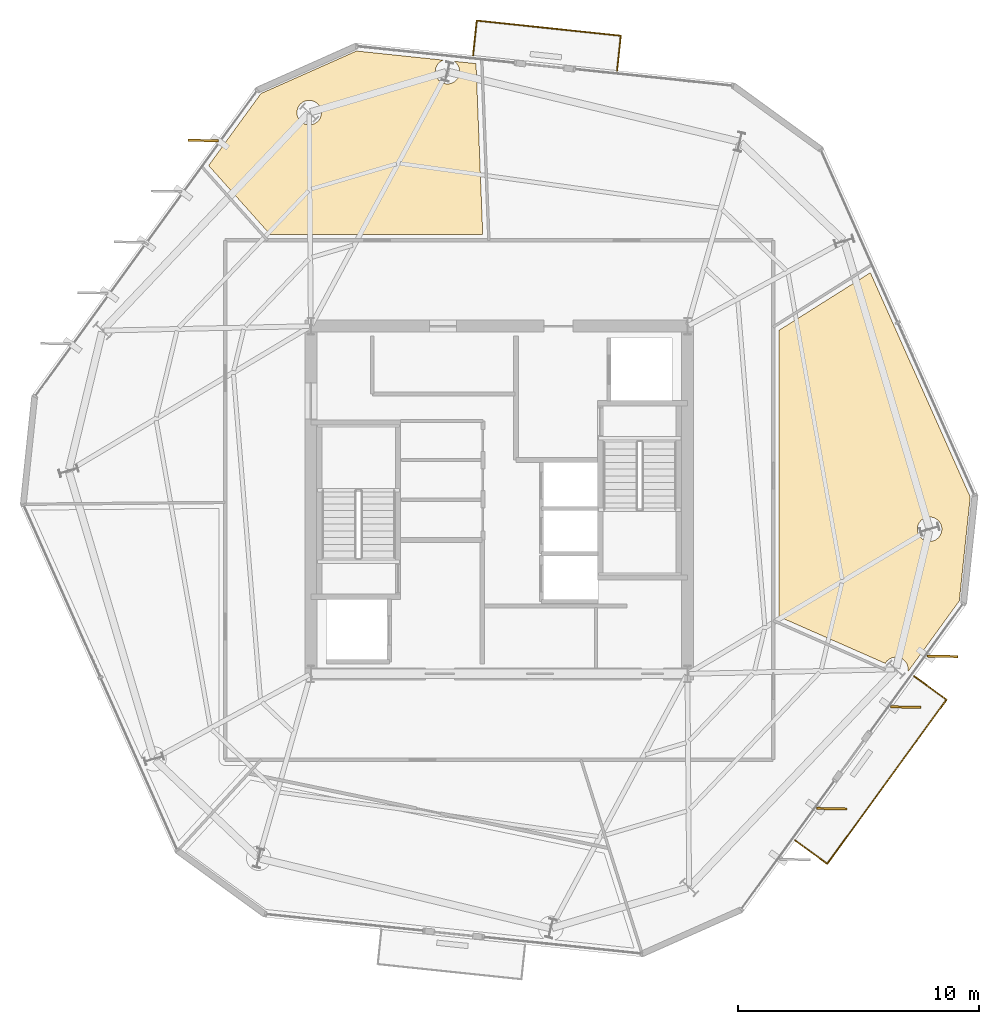
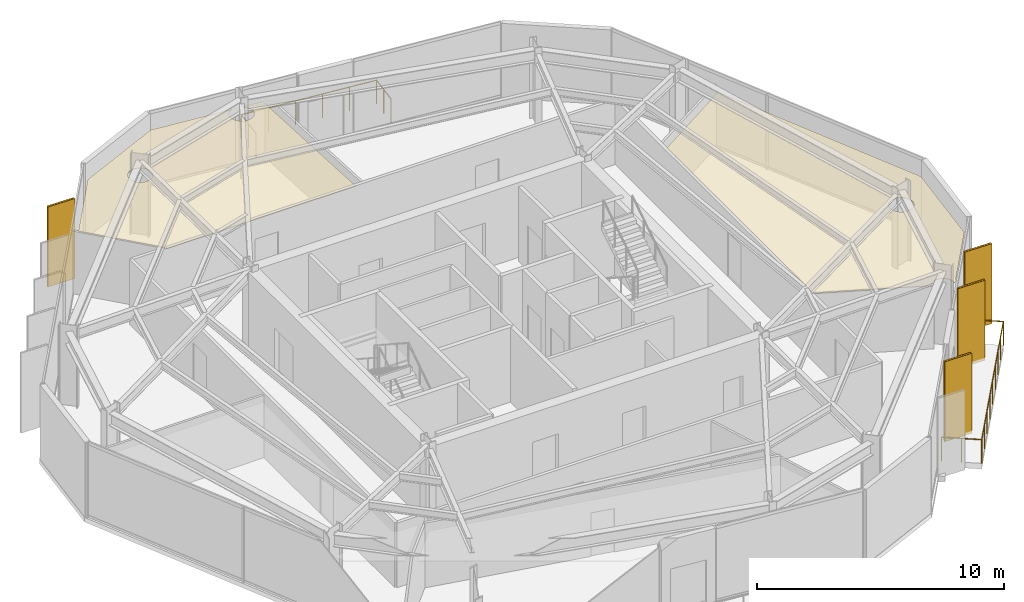
# One storey, part 12 of 12: 6 coverings, 4 shading devices, 2 railings.
"""IFC4 building model written with IfcOpenShell, lengths in metres."""

from ifc_helpers import new_model, si_unit, direction, frame, origin, origin_2d, place, context, subcontext, project, spatial, polyline, rectangle, circle, outline, extrude, material, layer, layer_set, type_object, element, save


model = new_model("IFC4")

# Units and contexts
model_context = context("Model", 3, precision=1e-05, world=origin(), true_north=direction((0.0, 1.0)))
body_context = subcontext(model_context, "Body", "Model", "MODEL_VIEW")
ifc_project = project(units=[si_unit("LENGTHUNIT", "METRE"), si_unit("AREAUNIT", "SQUARE_METRE"), si_unit("VOLUMEUNIT", "CUBIC_METRE"), si_unit("PLANEANGLEUNIT", "RADIAN"), si_unit("MASSUNIT", "GRAM", prefix="KILO")], contexts=[model_context])

# Site, building, storey
site_placement = place(None, origin())
site = spatial("IfcSite", under=ifc_project, at=site_placement, CompositionType="ELEMENT")
building_placement = place(site_placement, origin())
building = spatial("IfcBuilding", under=site, at=building_placement, Name="Kranzbogen Civic Tower", CompositionType="ELEMENT")
storey_placement = place(building_placement, frame((0.0, 0.0, 240.800048828125)))
storey = spatial("IfcBuildingStorey", under=building, at=storey_placement, Name="L58", CompositionType="ELEMENT", Elevation=240.800048828125)

# Coverings
ifc_material_1 = material(Name="Pale Anodised Aluminium", Category="aluminium")
ifc_layer_1 = layer(ifc_material_1, 0.02490234375, Name="Pale Anodised Aluminium")
ifc_layer_set_1 = layer_set([ifc_layer_1], Name="Pale Anodised Aluminium")
covering_type_1 = type_object("IfcCoveringType", Name="Anodised Aluminium Vertical Fin Cladding 25 mm", PredefinedType="CLADDING", material=ifc_layer_set_1)
for number, where, z_axis, x_axis, name in (
    (1, (12.748046875, 39.887939453125, -0.14013671875), (0.0, 0.0, 1.0), (-0.999798228055, 0.020087388558, 0.0), "L58 vertical fin pale-metal cladding F2-1"),
    (2, (38.780029296875, 12.215087890625, -0.14013671875), (0.0, 0.0, 1.0), (0.999798228055, -0.020087388558, 0.0), "L58 vertical fin pale-metal cladding F5-2"),
    (3, (41.8369140625, 16.422119140625, -0.14013671875), (0.0, 0.0, 1.0), (0.999798228055, -0.020087388558, 0.0), "L58 vertical fin pale-metal cladding F5-4"),
    (4, (43.364990234375, 18.52587890625, -0.14013671875), (0.0, 0.0, 1.0), (0.999798228055, -0.020087388558, 0.0), "L58 vertical fin pale-metal cladding F5-5"),
):
    element("IfcCovering", number, at=place(storey_placement, frame(where, z_axis=z_axis, x_axis=x_axis)), inside=storey, type_object=covering_type_1, Name=name, PredefinedType="CLADDING", context=body_context, shape_type="SweptSolid", body=[
        extrude(rectangle(XDim=1.25, YDim=0.10009765625, at=origin_2d()), origin(), (0.0, 0.0, 1.0), 3.9599609375),
    ])

# Shading devices
ifc_material_2 = material(Name="Anodised Bronze Aluminium", Category="aluminium")
shading_device_type = type_object("IfcShadingDeviceType", Name="Anodised Bronze Vertical Facade Fin 1250x80", PredefinedType="USERDEFINED", material=ifc_material_2)
for number, where, z_axis, x_axis, name in (
    (5, (12.748046875, 39.887939453125, -0.14013671875), (0.0, 0.0, 1.0), (-0.999798228055, 0.020087388558, 0.0), "L58 vertical exterior shading fin F2-1"),
    (6, (38.780029296875, 12.215087890625, -0.14013671875), (0.0, 0.0, 1.0), (0.999798228055, -0.020087388558, 0.0), "L58 vertical exterior shading fin F5-2"),
    (7, (41.8369140625, 16.422119140625, -0.14013671875), (0.0, 0.0, 1.0), (0.999798228055, -0.020087388558, 0.0), "L58 vertical exterior shading fin F5-4"),
    (8, (43.364990234375, 18.52587890625, -0.14013671875), (0.0, 0.0, 1.0), (0.999798228055, -0.020087388558, 0.0), "L58 vertical exterior shading fin F5-5"),
):
    element("IfcShadingDevice", number, at=place(storey_placement, frame(where, z_axis=z_axis, x_axis=x_axis)), inside=storey, type_object=shading_device_type, Name=name, ObjectType="FIN", PredefinedType="USERDEFINED", context=body_context, shape_type="SweptSolid", body=[
        extrude(rectangle(XDim=1.25, YDim=0.080078125, at=origin_2d()), origin(), (0.0, 0.0, 1.0), 3.9599609375),
    ])

# Railings
railing_type = type_object("IfcRailingType", Name="Cantilevered Balcony Glass and Bronze Balustrade 1200", PredefinedType="BALUSTRADE", material=ifc_material_2)
railing_1_placement = place(storey_placement, frame((29.885986328125, 42.787109375, 0.0)))
element("IfcRailing", 9, at=railing_1_placement, inside=storey, type_object=railing_type, Name="L58 exterior terrace balustrade L58-TB2", PredefinedType="BALUSTRADE", context=body_context, shape_type="SweptSolid", body=[
    extrude(circle(Radius=0.02392578125, at=origin_2d()), frame((0.0, 0.0, 1.17578125), z_axis=(0.104903913263, 0.994482362328, 0.0), x_axis=(-0.994482362328, 0.104903913263, 0.0)), (0.0, 0.0, 1.0), 1.449951171875),
    extrude(circle(Radius=0.02392578125, at=origin_2d()), frame((0.152099609375, 1.44189453125, 1.17578125), z_axis=(-0.99452550138, 0.104494148666, 0.0), x_axis=(-0.104494148666, -0.99452550138, 0.0)), (0.0, 0.0, 1.0), 6.0),
    extrude(circle(Radius=0.02392578125, at=origin_2d()), frame((-5.81494140625, 2.06884765625, 1.17578125), z_axis=(-0.104903913263, -0.994482362328, 0.0), x_axis=(0.994482362328, -0.104903913263, 0.0)), (0.0, 0.0, 1.0), 1.449951171875),
    extrude(circle(Radius=0.02099609375, at=origin_2d()), origin(), (0.0, 0.0, 1.0), 1.15185546875),
    extrude(circle(Radius=0.02099609375, at=origin_2d()), frame((0.076171875, 0.720947265625, 0.0)), (0.0, 0.0, 1.0), 1.15185546875),
    extrude(circle(Radius=0.02099609375, at=origin_2d()), frame((0.152099609375, 1.44189453125, 0.0)), (0.0, 0.0, 1.0), 1.15185546875),
    extrude(circle(Radius=0.02099609375, at=origin_2d()), frame((-1.041259765625, 1.5673828125, 0.0)), (0.0, 0.0, 1.0), 1.15185546875),
    extrude(circle(Radius=0.02099609375, at=origin_2d()), frame((-2.234619140625, 1.692626953125, 0.0)), (0.0, 0.0, 1.0), 1.15185546875),
    extrude(circle(Radius=0.02099609375, at=origin_2d()), frame((-3.42822265625, 1.818115234375, 0.0)), (0.0, 0.0, 1.0), 1.15185546875),
    extrude(circle(Radius=0.02099609375, at=origin_2d()), frame((-4.62158203125, 1.943359375, 0.0)), (0.0, 0.0, 1.0), 1.15185546875),
    extrude(circle(Radius=0.02099609375, at=origin_2d()), frame((-5.81494140625, 2.06884765625, 0.0)), (0.0, 0.0, 1.0), 1.15185546875),
    extrude(circle(Radius=0.02099609375, at=origin_2d()), frame((-5.89111328125, 1.347900390625, 0.0)), (0.0, 0.0, 1.0), 1.15185546875),
    extrude(circle(Radius=0.02099609375, at=origin_2d()), frame((-5.967041015625, 0.626953125, 0.0)), (0.0, 0.0, 1.0), 1.15185546875),
])
railing_2_placement = place(storey_placement, frame((37.2548828125, 10.904052734375, 0.0)))
element("IfcRailing", 10, at=railing_2_placement, inside=storey, type_object=railing_type, Name="L58 exterior terrace balustrade L58-ST", PredefinedType="BALUSTRADE", context=body_context, shape_type="SweptSolid", body=[
    extrude(circle(Radius=0.02392578125, at=origin_2d()), frame((0.0, 0.0, 1.17578125), z_axis=(0.809049428978, -0.587740607301, 0.0), x_axis=(0.587740607301, 0.809049428978, 0.0)), (0.0, 0.0, 1.0), 1.650390625),
    extrude(circle(Radius=0.02392578125, at=origin_2d()), frame((1.335205078125, -0.969970703125, 1.17578125), z_axis=(0.587822576056, 0.808989875758, 0.0), x_axis=(-0.808989875758, 0.587822576056, 0.0)), (0.0, 0.0, 1.0), 8.400390625),
    extrude(circle(Radius=0.02392578125, at=origin_2d()), frame((6.273193359375, 5.825927734375, 1.17578125), z_axis=(-0.808998317728, 0.587810957632, 0.0), x_axis=(-0.587810957632, -0.808998317728, 0.0)), (0.0, 0.0, 1.0), 1.650146484375),
    extrude(circle(Radius=0.02099609375, at=origin_2d()), origin(), (0.0, 0.0, 1.0), 1.15185546875),
    extrude(circle(Radius=0.02099609375, at=origin_2d()), frame((0.66748046875, -0.48486328125, 0.0)), (0.0, 0.0, 1.0), 1.15185546875),
    extrude(circle(Radius=0.02099609375, at=origin_2d()), frame((1.335205078125, -0.969970703125, 0.0)), (0.0, 0.0, 1.0), 1.15185546875),
    extrude(circle(Radius=0.02099609375, at=origin_2d()), frame((1.952392578125, -0.12060546875, 0.0)), (0.0, 0.0, 1.0), 1.15185546875),
    extrude(circle(Radius=0.02099609375, at=origin_2d()), frame((2.56982421875, 0.72900390625, 0.0)), (0.0, 0.0, 1.0), 1.15185546875),
    extrude(circle(Radius=0.02099609375, at=origin_2d()), frame((3.18701171875, 1.57861328125, 0.0)), (0.0, 0.0, 1.0), 1.15185546875),
    extrude(circle(Radius=0.02099609375, at=origin_2d()), frame((3.80419921875, 2.427978515625, 0.0)), (0.0, 0.0, 1.0), 1.15185546875),
    extrude(circle(Radius=0.02099609375, at=origin_2d()), frame((4.42138671875, 3.27734375, 0.0)), (0.0, 0.0, 1.0), 1.15185546875),
    extrude(circle(Radius=0.02099609375, at=origin_2d()), frame((5.03857421875, 4.126953125, 0.0)), (0.0, 0.0, 1.0), 1.15185546875),
    extrude(circle(Radius=0.02099609375, at=origin_2d()), frame((5.656005859375, 4.9765625, 0.0)), (0.0, 0.0, 1.0), 1.15185546875),
    extrude(circle(Radius=0.02099609375, at=origin_2d()), frame((6.273193359375, 5.825927734375, 0.0)), (0.0, 0.0, 1.0), 1.15185546875),
    extrude(circle(Radius=0.02099609375, at=origin_2d()), frame((5.605712890625, 6.31103515625, 0.0)), (0.0, 0.0, 1.0), 1.15185546875),
    extrude(circle(Radius=0.02099609375, at=origin_2d()), frame((4.938232421875, 6.7958984375, 0.0)), (0.0, 0.0, 1.0), 1.15185546875),
])

# Coverings
ifc_material_3 = material(Name="Perforated Acoustic Gypsum Ceiling")
ifc_layer_2 = layer(ifc_material_3, 0.02490234375, Name="Perforated Acoustic Gypsum Ceiling")
ifc_layer_set_2 = layer_set([ifc_layer_2], Name="Perforated Acoustic Gypsum Ceiling")
covering_type_2 = type_object("IfcCoveringType", Name="Perforated Acoustic Mineral Ceiling Tile 25 mm", PredefinedType="CEILING", material=ifc_layer_set_2)
covering_1_placement = place(storey_placement, frame((0.0, 0.0, 2.89990234375)))
element("IfcCovering", 11, at=covering_1_placement, inside=storey, type_object=covering_type_2, Name="L58 Central Mail Post Room acoustic ceiling", PredefinedType="CEILING", context=body_context, shape_type="SweptSolid", body=[
    extrude(outline(polyline([(44.05908203125, 20.822021484375), (41.931884765625, 17.89404296875), (41.93798828125, 17.93408203125), (41.93994140625, 17.98388671875), (41.93798828125, 18.033935546875), (41.929931640625, 18.0830078125), (41.91796875, 18.131103515625), (41.902099609375, 18.177978515625), (41.8798828125, 18.222900390625), (41.85498046875, 18.26611328125), (41.824951171875, 18.305908203125), (41.7919921875, 18.343017578125), (41.7548828125, 18.3759765625), (41.715087890625, 18.406005859375), (41.672119140625, 18.430908203125), (41.626953125, 18.452880859375), (41.580078125, 18.468994140625), (41.531982421875, 18.48095703125), (41.48291015625, 18.489013671875), (41.43310546875, 18.490966796875), (41.383056640625, 18.489013671875), (41.333984375, 18.48095703125), (41.285888671875, 18.468994140625), (41.239013671875, 18.452880859375), (41.194091796875, 18.430908203125), (41.15087890625, 18.406005859375), (41.111083984375, 18.3759765625), (41.073974609375, 18.343017578125), (41.041015625, 18.305908203125), (41.010986328125, 18.26611328125), (40.991943359375, 18.23388671875), (36.594970703125, 20.16796875), (36.594970703125, 32.029052734375), (40.375, 34.4140625), (44.511962890625, 25.1240234375), (44.05908203125, 20.822021484375)]), holes=[polyline([(43.297119140625, 23.596923828125), (43.27490234375, 23.552001953125), (43.25, 23.509033203125), (43.219970703125, 23.468994140625), (43.18701171875, 23.431884765625), (43.14990234375, 23.39892578125), (43.110107421875, 23.368896484375), (43.06689453125, 23.343994140625), (43.02197265625, 23.322021484375), (42.97509765625, 23.305908203125), (42.927001953125, 23.2939453125), (42.8779296875, 23.285888671875), (42.827880859375, 23.283935546875), (42.778076171875, 23.285888671875), (42.72900390625, 23.2939453125), (42.680908203125, 23.305908203125), (42.634033203125, 23.322021484375), (42.589111328125, 23.343994140625), (42.5458984375, 23.368896484375), (42.506103515625, 23.39892578125), (42.468994140625, 23.431884765625), (42.43603515625, 23.468994140625), (42.406005859375, 23.509033203125), (42.381103515625, 23.552001953125), (42.35888671875, 23.596923828125), (42.343017578125, 23.64404296875), (42.3310546875, 23.69189453125), (42.322998046875, 23.740966796875), (42.321044921875, 23.791015625), (42.322998046875, 23.841064453125), (42.3310546875, 23.889892578125), (42.343017578125, 23.93798828125), (42.35888671875, 23.985107421875), (42.381103515625, 24.030029296875), (42.406005859375, 24.072998046875), (42.43603515625, 24.113037109375), (42.468994140625, 24.14990234375), (42.506103515625, 24.18310546875), (42.5458984375, 24.212890625), (42.589111328125, 24.238037109375), (42.634033203125, 24.260009765625), (42.680908203125, 24.27587890625), (42.72900390625, 24.2880859375), (42.778076171875, 24.2958984375), (42.827880859375, 24.298095703125), (42.8779296875, 24.2958984375), (42.927001953125, 24.2880859375), (42.97509765625, 24.27587890625), (43.02197265625, 24.260009765625), (43.06689453125, 24.238037109375), (43.110107421875, 24.212890625), (43.14990234375, 24.18310546875), (43.18701171875, 24.14990234375), (43.219970703125, 24.113037109375), (43.25, 24.072998046875), (43.27490234375, 24.030029296875), (43.297119140625, 23.985107421875), (43.31298828125, 23.93798828125), (43.324951171875, 23.889892578125), (43.3330078125, 23.841064453125), (43.3349609375, 23.791015625), (43.3330078125, 23.740966796875), (43.324951171875, 23.69189453125), (43.31298828125, 23.64404296875), (43.297119140625, 23.596923828125)])]), origin(), (0.0, 0.0, 1.0), 0.025146484375),
])
covering_2_placement = place(storey_placement, frame((0.0, 0.0, 2.89990234375)))
element("IfcCovering", 12, at=covering_2_placement, inside=storey, type_object=covering_type_2, Name="L58 Staff Tea Pantry acoustic ceiling", PredefinedType="CEILING", context=body_context, shape_type="SweptSolid", body=[
    extrude(outline(polyline([(19.089111328125, 43.594970703125), (22.68798828125, 43.217041015625), (22.666015625, 43.208984375), (22.62109375, 43.18701171875), (22.577880859375, 43.162109375), (22.5380859375, 43.132080078125), (22.5009765625, 43.09912109375), (22.468017578125, 43.06201171875), (22.43798828125, 43.02197265625), (22.4130859375, 42.97900390625), (22.39111328125, 42.93408203125), (22.375, 42.886962890625), (22.363037109375, 42.839111328125), (22.35498046875, 42.7900390625), (22.35302734375, 42.739990234375), (22.35498046875, 42.68994140625), (22.363037109375, 42.64111328125), (22.375, 42.593017578125), (22.39111328125, 42.5458984375), (22.4130859375, 42.5009765625), (22.43798828125, 42.4580078125), (22.468017578125, 42.41796875), (22.5009765625, 42.381103515625), (22.5380859375, 42.347900390625), (22.577880859375, 42.318115234375), (22.62109375, 42.29296875), (22.666015625, 42.27099609375), (22.712890625, 42.2548828125), (22.760986328125, 42.242919921875), (22.81005859375, 42.235107421875), (22.860107421875, 42.23291015625), (22.909912109375, 42.235107421875), (22.958984375, 42.242919921875), (23.007080078125, 42.2548828125), (23.053955078125, 42.27099609375), (23.09912109375, 42.29296875), (23.14208984375, 42.318115234375), (23.181884765625, 42.347900390625), (23.218994140625, 42.381103515625), (23.251953125, 42.41796875), (23.281982421875, 42.4580078125), (23.306884765625, 42.5009765625), (23.3291015625, 42.5458984375), (23.344970703125, 42.593017578125), (23.35693359375, 42.64111328125), (23.364990234375, 42.68994140625), (23.366943359375, 42.739990234375), (23.364990234375, 42.7900390625), (23.35693359375, 42.839111328125), (23.344970703125, 42.886962890625), (23.3291015625, 42.93408203125), (23.306884765625, 42.97900390625), (23.281982421875, 43.02197265625), (23.251953125, 43.06201171875), (23.218994140625, 43.09912109375), (23.181884765625, 43.132080078125), (23.14208984375, 43.162109375), (23.126953125, 43.169921875), (24.0419921875, 43.073974609375), (24.321044921875, 35.9951171875), (15.51806640625, 35.9951171875), (12.968994140625, 38.85205078125), (15.136962890625, 41.8359375), (19.089111328125, 43.594970703125)]), holes=[polyline([(17.60205078125, 40.85009765625), (17.580078125, 40.804931640625), (17.554931640625, 40.761962890625), (17.52490234375, 40.721923828125), (17.491943359375, 40.68505859375), (17.455078125, 40.652099609375), (17.4150390625, 40.6220703125), (17.3720703125, 40.596923828125), (17.326904296875, 40.574951171875), (17.280029296875, 40.55908203125), (17.23193359375, 40.547119140625), (17.18310546875, 40.5390625), (17.133056640625, 40.537109375), (17.0830078125, 40.5390625), (17.033935546875, 40.547119140625), (16.986083984375, 40.55908203125), (16.93896484375, 40.574951171875), (16.89404296875, 40.596923828125), (16.85107421875, 40.6220703125), (16.81103515625, 40.652099609375), (16.77392578125, 40.68505859375), (16.740966796875, 40.721923828125), (16.7109375, 40.761962890625), (16.68603515625, 40.804931640625), (16.6640625, 40.85009765625), (16.64794921875, 40.89697265625), (16.635986328125, 40.945068359375), (16.6279296875, 40.993896484375), (16.6259765625, 41.0439453125), (16.6279296875, 41.093994140625), (16.635986328125, 41.14306640625), (16.64794921875, 41.19091796875), (16.6640625, 41.238037109375), (16.68603515625, 41.282958984375), (16.7109375, 41.325927734375), (16.740966796875, 41.365966796875), (16.77392578125, 41.403076171875), (16.81103515625, 41.43603515625), (16.85107421875, 41.466064453125), (16.89404296875, 41.490966796875), (16.93896484375, 41.512939453125), (16.986083984375, 41.529052734375), (17.033935546875, 41.541015625), (17.0830078125, 41.549072265625), (17.133056640625, 41.551025390625), (17.18310546875, 41.549072265625), (17.23193359375, 41.541015625), (17.280029296875, 41.529052734375), (17.326904296875, 41.512939453125), (17.3720703125, 41.490966796875), (17.4150390625, 41.466064453125), (17.455078125, 41.43603515625), (17.491943359375, 41.403076171875), (17.52490234375, 41.365966796875), (17.554931640625, 41.325927734375), (17.580078125, 41.282958984375), (17.60205078125, 41.238037109375), (17.617919921875, 41.19091796875), (17.6298828125, 41.14306640625), (17.637939453125, 41.093994140625), (17.639892578125, 41.0439453125), (17.637939453125, 40.993896484375), (17.6298828125, 40.945068359375), (17.617919921875, 40.89697265625), (17.60205078125, 40.85009765625)])]), origin(), (0.0, 0.0, 1.0), 0.025146484375),
])

save(model, "model.ifc")
